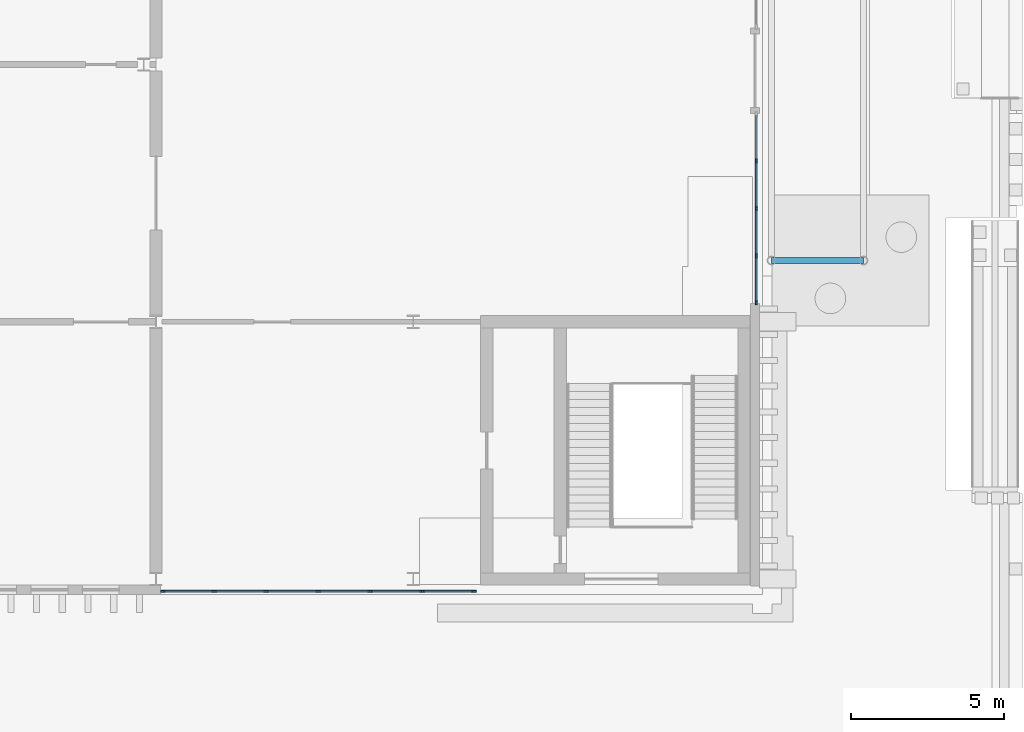
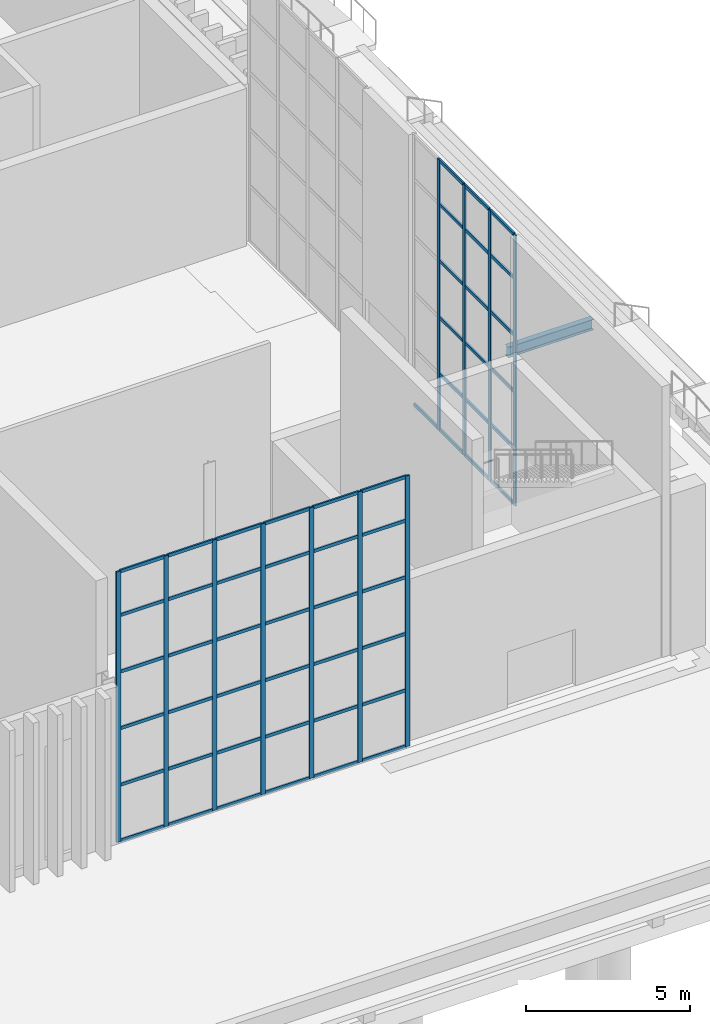
# One storey, part 39 of 108: 66 members, 1 beam, 2 elements without a shape of their own.
"""IFC4 building model written with IfcOpenShell, lengths in metres."""

from ifc_helpers import new_model, si_unit, direction, frame, origin, origin_2d, place, context, subcontext, project, spatial, rectangle, i_section, extrude, material, material_profile, profile_set, type_object, element, aggregate, save


model = new_model("IFC4")

# Units and contexts
model_context = context("Model", 3, precision=1e-05, world=origin(), true_north=direction((0.0, 1.0)))
body_context = subcontext(model_context, "Body", "Model", "MODEL_VIEW")
ifc_project = project(units=[si_unit("LENGTHUNIT", "METRE"), si_unit("AREAUNIT", "SQUARE_METRE"), si_unit("VOLUMEUNIT", "CUBIC_METRE"), si_unit("PLANEANGLEUNIT", "RADIAN"), si_unit("MASSUNIT", "GRAM", prefix="KILO")], contexts=[model_context])

# Site, building, storey
site_placement = place(None, origin())
site = spatial("IfcSite", under=ifc_project, at=site_placement, CompositionType="ELEMENT")
building_placement = place(site_placement, origin())
building = spatial("IfcBuilding", under=site, at=building_placement, Name="Cresset Court Congress Hotel", CompositionType="ELEMENT")
storey_placement = place(building_placement, origin())
storey = spatial("IfcBuildingStorey", under=building, at=storey_placement, Name="L00", CompositionType="ELEMENT", Elevation=0.0)

# Beam
ifc_material_1 = material(Name="Structural steel Q355B", Category="steel")
ifc_material_profile_1 = material_profile(ifc_material_1, i_section(OverallWidth=0.198974609375, OverallDepth=0.39599609375, WebThickness=0.007080078125, FlangeThickness=0.010986328125, FilletRadius=0.01611328125, at=origin_2d()), Name="HN396x199x7x11")
ifc_profile_set_1 = profile_set([ifc_material_profile_1], Name="Structural steel Q355B")
beam_type = type_object("IfcBeamType", Name="Canopy beam HN396x199x7x11", PredefinedType="BEAM", material=ifc_profile_set_1)
beam_placement = place(storey_placement, frame((177.300048828125, 10.39990234375, 4.701904296875), z_axis=(1.0, 0.0, 0.0), x_axis=(0.0, 1.0, 0.0)))
element("IfcBeam", 1, at=beam_placement, inside=storey, type_object=beam_type, Name="Canopy beam 1", PredefinedType="BEAM", context=body_context, shape_type="SweptSolid", body=[
    extrude(i_section(OverallWidth=0.198974609375, OverallDepth=0.39599609375, WebThickness=0.007080078125, FlangeThickness=0.010986328125, FilletRadius=0.01611328125, at=origin_2d()), origin(), (0.0, 0.0, 1.0), 3.0),
])

# Curtain wall, members
ifc_material_2 = material(Name="Aluminium and glass", Category="aluminium")
curtain_wall_type = type_object("IfcCurtainWallType", Name="Curtain wall 1680 module", PredefinedType="NOTDEFINED", material=ifc_material_2)
curtain_wall_1_placement = place(storey_placement, origin())
curtain_wall_1 = element("IfcCurtainWall", 2, at=curtain_wall_1_placement, inside=storey, type_object=curtain_wall_type, Name="Entrance glazing south", PredefinedType="NOTDEFINED")
ifc_material_3 = material(Name="Anodised aluminium", Category="aluminium")
ifc_material_profile_2 = material_profile(ifc_material_3, rectangle(XDim=0.06005859375, YDim=0.159912109375, at=origin_2d()), Name="AL60x160")
ifc_profile_set_2 = profile_set([ifc_material_profile_2], Name="Anodised aluminium")
member_type_1 = type_object("IfcMemberType", Name="Curtain wall mullion 60x160", PredefinedType="MULLION", material=ifc_profile_set_2)
member_1_placement = place(storey_placement, frame((176.800048828125, 9.030029296875, 0.0), z_axis=(0.0, 0.0, 1.0), x_axis=(-1.0, 0.0, 0.0)))
member_1 = element("IfcMember", 3, at=member_1_placement, type_object=member_type_1, Name="A-X1 mullion 1", PredefinedType="MULLION", context=body_context, shape_type="SweptSolid", body=[
    extrude(rectangle(XDim=0.06005859375, YDim=0.159912109375, at=origin_2d()), origin(), (0.0, 0.0, 1.0), 10.050048828125),
])
member_2_placement = place(storey_placement, frame((176.800048828125, 10.550048828125, 0.0), z_axis=(0.0, 0.0, 1.0), x_axis=(-1.0, 0.0, 0.0)))
member_2 = element("IfcMember", 4, at=member_2_placement, type_object=member_type_1, Name="A-X1 mullion 2", PredefinedType="MULLION", context=body_context, shape_type="SweptSolid", body=[
    extrude(rectangle(XDim=0.06005859375, YDim=0.159912109375, at=origin_2d()), origin(), (0.0, 0.0, 1.0), 10.050048828125),
])
member_3_placement = place(storey_placement, frame((176.800048828125, 12.10009765625, 0.0), z_axis=(0.0, 0.0, 1.0), x_axis=(-1.0, 0.0, 0.0)))
member_3 = element("IfcMember", 5, at=member_3_placement, type_object=member_type_1, Name="A-X1 mullion 3", PredefinedType="MULLION", context=body_context, shape_type="SweptSolid", body=[
    extrude(rectangle(XDim=0.06005859375, YDim=0.159912109375, at=origin_2d()), origin(), (0.0, 0.0, 1.0), 10.050048828125),
])
member_4_placement = place(storey_placement, frame((176.800048828125, 13.64990234375, 0.0), z_axis=(0.0, 0.0, 1.0), x_axis=(-1.0, 0.0, 0.0)))
member_4 = element("IfcMember", 6, at=member_4_placement, type_object=member_type_1, Name="A-X1 mullion 4", PredefinedType="MULLION", context=body_context, shape_type="SweptSolid", body=[
    extrude(rectangle(XDim=0.06005859375, YDim=0.159912109375, at=origin_2d()), origin(), (0.0, 0.0, 1.0), 10.050048828125),
])

curtain_wall_2_placement = place(storey_placement, origin())
curtain_wall_2 = element("IfcCurtainWall", 7, at=curtain_wall_2_placement, inside=storey, type_object=curtain_wall_type, Name="Breakfast room glazing", PredefinedType="NOTDEFINED")
member_5_placement = place(storey_placement, frame((157.429931640625, -0.39990234375, 0.0), z_axis=(0.0, 0.0, 1.0), x_axis=(0.0, 1.0, 0.0)))
member_5 = element("IfcMember", 8, at=member_5_placement, type_object=member_type_1, Name="A-X1 mullion 1", PredefinedType="MULLION", context=body_context, shape_type="SweptSolid", body=[
    extrude(rectangle(XDim=0.06005859375, YDim=0.159912109375, at=origin_2d()), origin(), (0.0, 0.0, 1.0), 10.050048828125),
])
member_6_placement = place(storey_placement, frame((159.10009765625, -0.39990234375, 0.0), z_axis=(0.0, 0.0, 1.0), x_axis=(0.0, 1.0, 0.0)))
member_6 = element("IfcMember", 9, at=member_6_placement, type_object=member_type_1, Name="A-X1 mullion 2", PredefinedType="MULLION", context=body_context, shape_type="SweptSolid", body=[
    extrude(rectangle(XDim=0.06005859375, YDim=0.159912109375, at=origin_2d()), origin(), (0.0, 0.0, 1.0), 10.050048828125),
])
member_7_placement = place(storey_placement, frame((160.800048828125, -0.39990234375, 0.0), z_axis=(0.0, 0.0, 1.0), x_axis=(0.0, 1.0, 0.0)))
member_7 = element("IfcMember", 10, at=member_7_placement, type_object=member_type_1, Name="A-X1 mullion 3", PredefinedType="MULLION", context=body_context, shape_type="SweptSolid", body=[
    extrude(rectangle(XDim=0.06005859375, YDim=0.159912109375, at=origin_2d()), origin(), (0.0, 0.0, 1.0), 10.050048828125),
])
member_8_placement = place(storey_placement, frame((162.5, -0.39990234375, 0.0), z_axis=(0.0, 0.0, 1.0), x_axis=(0.0, 1.0, 0.0)))
member_8 = element("IfcMember", 11, at=member_8_placement, type_object=member_type_1, Name="A-X1 mullion 4", PredefinedType="MULLION", context=body_context, shape_type="SweptSolid", body=[
    extrude(rectangle(XDim=0.06005859375, YDim=0.159912109375, at=origin_2d()), origin(), (0.0, 0.0, 1.0), 10.050048828125),
])
member_9_placement = place(storey_placement, frame((164.199951171875, -0.39990234375, 0.0), z_axis=(0.0, 0.0, 1.0), x_axis=(0.0, 1.0, 0.0)))
member_9 = element("IfcMember", 12, at=member_9_placement, type_object=member_type_1, Name="A-X1 mullion 5", PredefinedType="MULLION", context=body_context, shape_type="SweptSolid", body=[
    extrude(rectangle(XDim=0.06005859375, YDim=0.159912109375, at=origin_2d()), origin(), (0.0, 0.0, 1.0), 10.050048828125),
])
member_10_placement = place(storey_placement, frame((165.89990234375, -0.39990234375, 0.0), z_axis=(0.0, 0.0, 1.0), x_axis=(0.0, 1.0, 0.0)))
member_10 = element("IfcMember", 13, at=member_10_placement, type_object=member_type_1, Name="A-X1 mullion 6", PredefinedType="MULLION", context=body_context, shape_type="SweptSolid", body=[
    extrude(rectangle(XDim=0.06005859375, YDim=0.159912109375, at=origin_2d()), origin(), (0.0, 0.0, 1.0), 10.050048828125),
])
member_11_placement = place(storey_placement, frame((167.570068359375, -0.39990234375, 0.0), z_axis=(0.0, 0.0, 1.0), x_axis=(0.0, 1.0, 0.0)))
member_11 = element("IfcMember", 14, at=member_11_placement, type_object=member_type_1, Name="A-X1 mullion 7", PredefinedType="MULLION", context=body_context, shape_type="SweptSolid", body=[
    extrude(rectangle(XDim=0.06005859375, YDim=0.159912109375, at=origin_2d()), origin(), (0.0, 0.0, 1.0), 10.050048828125),
])

# Member
ifc_material_4 = material(Name="Anodised aluminium", Category="aluminium")
ifc_material_profile_3 = material_profile(ifc_material_4, rectangle(XDim=0.06005859375, YDim=0.1201171875, at=origin_2d()), Name="AL60x120")
ifc_profile_set_3 = profile_set([ifc_material_profile_3], Name="Anodised aluminium")
member_type_2 = type_object("IfcMemberType", Name="Curtain wall transom 60x120", PredefinedType="USERDEFINED", material=ifc_profile_set_3)
member_12_placement = place(storey_placement, frame((176.800048828125, 9.06005859375, 0.030029296875), z_axis=(0.0, 1.0, 0.0), x_axis=(-1.0, 0.0, 0.0)))
member_12 = element("IfcMember", 15, at=member_12_placement, type_object=member_type_2, Name="A-X1 transom 1.1", ObjectType="TRANSOM", PredefinedType="USERDEFINED", context=body_context, shape_type="SweptSolid", body=[
    extrude(rectangle(XDim=0.06005859375, YDim=0.1201171875, at=origin_2d()), origin(), (0.0, 0.0, 1.0), 1.4599609375),
])

member_13_placement = place(storey_placement, frame((176.800048828125, 9.06005859375, 2.10009765625), z_axis=(0.0, 1.0, 0.0), x_axis=(-1.0, 0.0, 0.0)))
member_13 = element("IfcMember", 16, at=member_13_placement, type_object=member_type_2, Name="A-X1 transom 1.2", ObjectType="TRANSOM", PredefinedType="USERDEFINED", context=body_context, shape_type="SweptSolid", body=[
    extrude(rectangle(XDim=0.06005859375, YDim=0.1201171875, at=origin_2d()), origin(), (0.0, 0.0, 1.0), 1.4599609375),
])

member_14_placement = place(storey_placement, frame((176.800048828125, 9.06005859375, 4.199951171875), z_axis=(0.0, 1.0, 0.0), x_axis=(-1.0, 0.0, 0.0)))
member_14 = element("IfcMember", 17, at=member_14_placement, type_object=member_type_2, Name="A-X1 transom 1.3", ObjectType="TRANSOM", PredefinedType="USERDEFINED", context=body_context, shape_type="SweptSolid", body=[
    extrude(rectangle(XDim=0.06005859375, YDim=0.1201171875, at=origin_2d()), origin(), (0.0, 0.0, 1.0), 1.4599609375),
])

member_15_placement = place(storey_placement, frame((176.800048828125, 9.06005859375, 6.300048828125), z_axis=(0.0, 1.0, 0.0), x_axis=(-1.0, 0.0, 0.0)))
member_15 = element("IfcMember", 18, at=member_15_placement, type_object=member_type_2, Name="A-X1 transom 1.4", ObjectType="TRANSOM", PredefinedType="USERDEFINED", context=body_context, shape_type="SweptSolid", body=[
    extrude(rectangle(XDim=0.06005859375, YDim=0.1201171875, at=origin_2d()), origin(), (0.0, 0.0, 1.0), 1.4599609375),
])

member_16_placement = place(storey_placement, frame((176.800048828125, 9.06005859375, 8.39990234375), z_axis=(0.0, 1.0, 0.0), x_axis=(-1.0, 0.0, 0.0)))
member_16 = element("IfcMember", 19, at=member_16_placement, type_object=member_type_2, Name="A-X1 transom 1.5", ObjectType="TRANSOM", PredefinedType="USERDEFINED", context=body_context, shape_type="SweptSolid", body=[
    extrude(rectangle(XDim=0.06005859375, YDim=0.1201171875, at=origin_2d()), origin(), (0.0, 0.0, 1.0), 1.4599609375),
])

member_17_placement = place(storey_placement, frame((176.800048828125, 9.06005859375, 10.02001953125), z_axis=(0.0, 1.0, 0.0), x_axis=(-1.0, 0.0, 0.0)))
member_17 = element("IfcMember", 20, at=member_17_placement, type_object=member_type_2, Name="A-X1 transom 1.6", ObjectType="TRANSOM", PredefinedType="USERDEFINED", context=body_context, shape_type="SweptSolid", body=[
    extrude(rectangle(XDim=0.06005859375, YDim=0.1201171875, at=origin_2d()), origin(), (0.0, 0.0, 1.0), 1.4599609375),
])

member_18_placement = place(storey_placement, frame((176.800048828125, 10.580078125, 0.030029296875), z_axis=(0.0, 1.0, 0.0), x_axis=(-1.0, 0.0, 0.0)))
member_18 = element("IfcMember", 21, at=member_18_placement, type_object=member_type_2, Name="A-X1 transom 2.1", ObjectType="TRANSOM", PredefinedType="USERDEFINED", context=body_context, shape_type="SweptSolid", body=[
    extrude(rectangle(XDim=0.06005859375, YDim=0.1201171875, at=origin_2d()), origin(), (0.0, 0.0, 1.0), 1.489990234375),
])

member_19_placement = place(storey_placement, frame((176.800048828125, 10.580078125, 2.10009765625), z_axis=(0.0, 1.0, 0.0), x_axis=(-1.0, 0.0, 0.0)))
member_19 = element("IfcMember", 22, at=member_19_placement, type_object=member_type_2, Name="A-X1 transom 2.2", ObjectType="TRANSOM", PredefinedType="USERDEFINED", context=body_context, shape_type="SweptSolid", body=[
    extrude(rectangle(XDim=0.06005859375, YDim=0.1201171875, at=origin_2d()), origin(), (0.0, 0.0, 1.0), 1.489990234375),
])

member_20_placement = place(storey_placement, frame((176.800048828125, 10.580078125, 4.199951171875), z_axis=(0.0, 1.0, 0.0), x_axis=(-1.0, 0.0, 0.0)))
member_20 = element("IfcMember", 23, at=member_20_placement, type_object=member_type_2, Name="A-X1 transom 2.3", ObjectType="TRANSOM", PredefinedType="USERDEFINED", context=body_context, shape_type="SweptSolid", body=[
    extrude(rectangle(XDim=0.06005859375, YDim=0.1201171875, at=origin_2d()), origin(), (0.0, 0.0, 1.0), 1.489990234375),
])

member_21_placement = place(storey_placement, frame((176.800048828125, 10.580078125, 6.300048828125), z_axis=(0.0, 1.0, 0.0), x_axis=(-1.0, 0.0, 0.0)))
member_21 = element("IfcMember", 24, at=member_21_placement, type_object=member_type_2, Name="A-X1 transom 2.4", ObjectType="TRANSOM", PredefinedType="USERDEFINED", context=body_context, shape_type="SweptSolid", body=[
    extrude(rectangle(XDim=0.06005859375, YDim=0.1201171875, at=origin_2d()), origin(), (0.0, 0.0, 1.0), 1.489990234375),
])

member_22_placement = place(storey_placement, frame((176.800048828125, 10.580078125, 8.39990234375), z_axis=(0.0, 1.0, 0.0), x_axis=(-1.0, 0.0, 0.0)))
member_22 = element("IfcMember", 25, at=member_22_placement, type_object=member_type_2, Name="A-X1 transom 2.5", ObjectType="TRANSOM", PredefinedType="USERDEFINED", context=body_context, shape_type="SweptSolid", body=[
    extrude(rectangle(XDim=0.06005859375, YDim=0.1201171875, at=origin_2d()), origin(), (0.0, 0.0, 1.0), 1.489990234375),
])

member_23_placement = place(storey_placement, frame((176.800048828125, 10.580078125, 10.02001953125), z_axis=(0.0, 1.0, 0.0), x_axis=(-1.0, 0.0, 0.0)))
member_23 = element("IfcMember", 26, at=member_23_placement, type_object=member_type_2, Name="A-X1 transom 2.6", ObjectType="TRANSOM", PredefinedType="USERDEFINED", context=body_context, shape_type="SweptSolid", body=[
    extrude(rectangle(XDim=0.06005859375, YDim=0.1201171875, at=origin_2d()), origin(), (0.0, 0.0, 1.0), 1.489990234375),
])

member_24_placement = place(storey_placement, frame((176.800048828125, 12.1298828125, 0.030029296875), z_axis=(0.0, 1.0, 0.0), x_axis=(-1.0, 0.0, 0.0)))
member_24 = element("IfcMember", 27, at=member_24_placement, type_object=member_type_2, Name="A-X1 transom 3.1", ObjectType="TRANSOM", PredefinedType="USERDEFINED", context=body_context, shape_type="SweptSolid", body=[
    extrude(rectangle(XDim=0.06005859375, YDim=0.1201171875, at=origin_2d()), origin(), (0.0, 0.0, 1.0), 1.490234375),
])

member_25_placement = place(storey_placement, frame((176.800048828125, 12.1298828125, 2.10009765625), z_axis=(0.0, 1.0, 0.0), x_axis=(-1.0, 0.0, 0.0)))
member_25 = element("IfcMember", 28, at=member_25_placement, type_object=member_type_2, Name="A-X1 transom 3.2", ObjectType="TRANSOM", PredefinedType="USERDEFINED", context=body_context, shape_type="SweptSolid", body=[
    extrude(rectangle(XDim=0.06005859375, YDim=0.1201171875, at=origin_2d()), origin(), (0.0, 0.0, 1.0), 1.490234375),
])

member_26_placement = place(storey_placement, frame((176.800048828125, 12.1298828125, 4.199951171875), z_axis=(0.0, 1.0, 0.0), x_axis=(-1.0, 0.0, 0.0)))
member_26 = element("IfcMember", 29, at=member_26_placement, type_object=member_type_2, Name="A-X1 transom 3.3", ObjectType="TRANSOM", PredefinedType="USERDEFINED", context=body_context, shape_type="SweptSolid", body=[
    extrude(rectangle(XDim=0.06005859375, YDim=0.1201171875, at=origin_2d()), origin(), (0.0, 0.0, 1.0), 1.490234375),
])

member_27_placement = place(storey_placement, frame((176.800048828125, 12.1298828125, 6.300048828125), z_axis=(0.0, 1.0, 0.0), x_axis=(-1.0, 0.0, 0.0)))
member_27 = element("IfcMember", 30, at=member_27_placement, type_object=member_type_2, Name="A-X1 transom 3.4", ObjectType="TRANSOM", PredefinedType="USERDEFINED", context=body_context, shape_type="SweptSolid", body=[
    extrude(rectangle(XDim=0.06005859375, YDim=0.1201171875, at=origin_2d()), origin(), (0.0, 0.0, 1.0), 1.490234375),
])

member_28_placement = place(storey_placement, frame((176.800048828125, 12.1298828125, 8.39990234375), z_axis=(0.0, 1.0, 0.0), x_axis=(-1.0, 0.0, 0.0)))
member_28 = element("IfcMember", 31, at=member_28_placement, type_object=member_type_2, Name="A-X1 transom 3.5", ObjectType="TRANSOM", PredefinedType="USERDEFINED", context=body_context, shape_type="SweptSolid", body=[
    extrude(rectangle(XDim=0.06005859375, YDim=0.1201171875, at=origin_2d()), origin(), (0.0, 0.0, 1.0), 1.490234375),
])

member_29_placement = place(storey_placement, frame((176.800048828125, 12.1298828125, 10.02001953125), z_axis=(0.0, 1.0, 0.0), x_axis=(-1.0, 0.0, 0.0)))
member_29 = element("IfcMember", 32, at=member_29_placement, type_object=member_type_2, Name="A-X1 transom 3.6", ObjectType="TRANSOM", PredefinedType="USERDEFINED", context=body_context, shape_type="SweptSolid", body=[
    extrude(rectangle(XDim=0.06005859375, YDim=0.1201171875, at=origin_2d()), origin(), (0.0, 0.0, 1.0), 1.490234375),
])

member_30_placement = place(storey_placement, frame((176.800048828125, 13.679931640625, 0.030029296875), z_axis=(0.0, 1.0, 0.0), x_axis=(-1.0, 0.0, 0.0)))
member_30 = element("IfcMember", 33, at=member_30_placement, type_object=member_type_2, Name="A-X1 transom 4.1", ObjectType="TRANSOM", PredefinedType="USERDEFINED", context=body_context, shape_type="SweptSolid", body=[
    extrude(rectangle(XDim=0.06005859375, YDim=0.1201171875, at=origin_2d()), origin(), (0.0, 0.0, 1.0), 1.4599609375),
])

aggregate(curtain_wall_1, [member_1, member_2, member_3, member_4, member_12, member_13, member_14, member_15, member_16, member_17, member_18, member_19, member_20, member_21, member_22, member_23, member_24, member_25, member_26, member_27, member_28, member_29, member_30])

member_31_placement = place(storey_placement, frame((157.4599609375, -0.39990234375, 0.030029296875), z_axis=(1.0, 0.0, 0.0), x_axis=(0.0, 1.0, 0.0)))
member_31 = element("IfcMember", 34, at=member_31_placement, type_object=member_type_2, Name="A-X1 transom 1.1", ObjectType="TRANSOM", PredefinedType="USERDEFINED", context=body_context, shape_type="SweptSolid", body=[
    extrude(rectangle(XDim=0.06005859375, YDim=0.1201171875, at=origin_2d()), origin(), (0.0, 0.0, 1.0), 1.610107421875),
])

member_32_placement = place(storey_placement, frame((157.4599609375, -0.39990234375, 2.10009765625), z_axis=(1.0, 0.0, 0.0), x_axis=(0.0, 1.0, 0.0)))
member_32 = element("IfcMember", 35, at=member_32_placement, type_object=member_type_2, Name="A-X1 transom 1.2", ObjectType="TRANSOM", PredefinedType="USERDEFINED", context=body_context, shape_type="SweptSolid", body=[
    extrude(rectangle(XDim=0.06005859375, YDim=0.1201171875, at=origin_2d()), origin(), (0.0, 0.0, 1.0), 1.610107421875),
])

member_33_placement = place(storey_placement, frame((157.4599609375, -0.39990234375, 4.199951171875), z_axis=(1.0, 0.0, 0.0), x_axis=(0.0, 1.0, 0.0)))
member_33 = element("IfcMember", 36, at=member_33_placement, type_object=member_type_2, Name="A-X1 transom 1.3", ObjectType="TRANSOM", PredefinedType="USERDEFINED", context=body_context, shape_type="SweptSolid", body=[
    extrude(rectangle(XDim=0.06005859375, YDim=0.1201171875, at=origin_2d()), origin(), (0.0, 0.0, 1.0), 1.610107421875),
])

member_34_placement = place(storey_placement, frame((157.4599609375, -0.39990234375, 6.300048828125), z_axis=(1.0, 0.0, 0.0), x_axis=(0.0, 1.0, 0.0)))
member_34 = element("IfcMember", 37, at=member_34_placement, type_object=member_type_2, Name="A-X1 transom 1.4", ObjectType="TRANSOM", PredefinedType="USERDEFINED", context=body_context, shape_type="SweptSolid", body=[
    extrude(rectangle(XDim=0.06005859375, YDim=0.1201171875, at=origin_2d()), origin(), (0.0, 0.0, 1.0), 1.610107421875),
])

member_35_placement = place(storey_placement, frame((157.4599609375, -0.39990234375, 8.39990234375), z_axis=(1.0, 0.0, 0.0), x_axis=(0.0, 1.0, 0.0)))
member_35 = element("IfcMember", 38, at=member_35_placement, type_object=member_type_2, Name="A-X1 transom 1.5", ObjectType="TRANSOM", PredefinedType="USERDEFINED", context=body_context, shape_type="SweptSolid", body=[
    extrude(rectangle(XDim=0.06005859375, YDim=0.1201171875, at=origin_2d()), origin(), (0.0, 0.0, 1.0), 1.610107421875),
])

member_36_placement = place(storey_placement, frame((157.4599609375, -0.39990234375, 10.02001953125), z_axis=(1.0, 0.0, 0.0), x_axis=(0.0, 1.0, 0.0)))
member_36 = element("IfcMember", 39, at=member_36_placement, type_object=member_type_2, Name="A-X1 transom 1.6", ObjectType="TRANSOM", PredefinedType="USERDEFINED", context=body_context, shape_type="SweptSolid", body=[
    extrude(rectangle(XDim=0.06005859375, YDim=0.1201171875, at=origin_2d()), origin(), (0.0, 0.0, 1.0), 1.610107421875),
])

member_37_placement = place(storey_placement, frame((159.1298828125, -0.39990234375, 0.030029296875), z_axis=(1.0, 0.0, 0.0), x_axis=(0.0, 1.0, 0.0)))
member_37 = element("IfcMember", 40, at=member_37_placement, type_object=member_type_2, Name="A-X1 transom 2.1", ObjectType="TRANSOM", PredefinedType="USERDEFINED", context=body_context, shape_type="SweptSolid", body=[
    extrude(rectangle(XDim=0.06005859375, YDim=0.1201171875, at=origin_2d()), origin(), (0.0, 0.0, 1.0), 1.64013671875),
])

member_38_placement = place(storey_placement, frame((159.1298828125, -0.39990234375, 2.10009765625), z_axis=(1.0, 0.0, 0.0), x_axis=(0.0, 1.0, 0.0)))
member_38 = element("IfcMember", 41, at=member_38_placement, type_object=member_type_2, Name="A-X1 transom 2.2", ObjectType="TRANSOM", PredefinedType="USERDEFINED", context=body_context, shape_type="SweptSolid", body=[
    extrude(rectangle(XDim=0.06005859375, YDim=0.1201171875, at=origin_2d()), origin(), (0.0, 0.0, 1.0), 1.64013671875),
])

member_39_placement = place(storey_placement, frame((159.1298828125, -0.39990234375, 4.199951171875), z_axis=(1.0, 0.0, 0.0), x_axis=(0.0, 1.0, 0.0)))
member_39 = element("IfcMember", 42, at=member_39_placement, type_object=member_type_2, Name="A-X1 transom 2.3", ObjectType="TRANSOM", PredefinedType="USERDEFINED", context=body_context, shape_type="SweptSolid", body=[
    extrude(rectangle(XDim=0.06005859375, YDim=0.1201171875, at=origin_2d()), origin(), (0.0, 0.0, 1.0), 1.64013671875),
])

member_40_placement = place(storey_placement, frame((159.1298828125, -0.39990234375, 6.300048828125), z_axis=(1.0, 0.0, 0.0), x_axis=(0.0, 1.0, 0.0)))
member_40 = element("IfcMember", 43, at=member_40_placement, type_object=member_type_2, Name="A-X1 transom 2.4", ObjectType="TRANSOM", PredefinedType="USERDEFINED", context=body_context, shape_type="SweptSolid", body=[
    extrude(rectangle(XDim=0.06005859375, YDim=0.1201171875, at=origin_2d()), origin(), (0.0, 0.0, 1.0), 1.64013671875),
])

member_41_placement = place(storey_placement, frame((159.1298828125, -0.39990234375, 8.39990234375), z_axis=(1.0, 0.0, 0.0), x_axis=(0.0, 1.0, 0.0)))
member_41 = element("IfcMember", 44, at=member_41_placement, type_object=member_type_2, Name="A-X1 transom 2.5", ObjectType="TRANSOM", PredefinedType="USERDEFINED", context=body_context, shape_type="SweptSolid", body=[
    extrude(rectangle(XDim=0.06005859375, YDim=0.1201171875, at=origin_2d()), origin(), (0.0, 0.0, 1.0), 1.64013671875),
])

member_42_placement = place(storey_placement, frame((159.1298828125, -0.39990234375, 10.02001953125), z_axis=(1.0, 0.0, 0.0), x_axis=(0.0, 1.0, 0.0)))
member_42 = element("IfcMember", 45, at=member_42_placement, type_object=member_type_2, Name="A-X1 transom 2.6", ObjectType="TRANSOM", PredefinedType="USERDEFINED", context=body_context, shape_type="SweptSolid", body=[
    extrude(rectangle(XDim=0.06005859375, YDim=0.1201171875, at=origin_2d()), origin(), (0.0, 0.0, 1.0), 1.64013671875),
])

member_43_placement = place(storey_placement, frame((160.830078125, -0.39990234375, 0.030029296875), z_axis=(1.0, 0.0, 0.0), x_axis=(0.0, 1.0, 0.0)))
member_43 = element("IfcMember", 46, at=member_43_placement, type_object=member_type_2, Name="A-X1 transom 3.1", ObjectType="TRANSOM", PredefinedType="USERDEFINED", context=body_context, shape_type="SweptSolid", body=[
    extrude(rectangle(XDim=0.06005859375, YDim=0.1201171875, at=origin_2d()), origin(), (0.0, 0.0, 1.0), 1.639892578125),
])

member_44_placement = place(storey_placement, frame((160.830078125, -0.39990234375, 2.10009765625), z_axis=(1.0, 0.0, 0.0), x_axis=(0.0, 1.0, 0.0)))
member_44 = element("IfcMember", 47, at=member_44_placement, type_object=member_type_2, Name="A-X1 transom 3.2", ObjectType="TRANSOM", PredefinedType="USERDEFINED", context=body_context, shape_type="SweptSolid", body=[
    extrude(rectangle(XDim=0.06005859375, YDim=0.1201171875, at=origin_2d()), origin(), (0.0, 0.0, 1.0), 1.639892578125),
])

member_45_placement = place(storey_placement, frame((160.830078125, -0.39990234375, 4.199951171875), z_axis=(1.0, 0.0, 0.0), x_axis=(0.0, 1.0, 0.0)))
member_45 = element("IfcMember", 48, at=member_45_placement, type_object=member_type_2, Name="A-X1 transom 3.3", ObjectType="TRANSOM", PredefinedType="USERDEFINED", context=body_context, shape_type="SweptSolid", body=[
    extrude(rectangle(XDim=0.06005859375, YDim=0.1201171875, at=origin_2d()), origin(), (0.0, 0.0, 1.0), 1.639892578125),
])

member_46_placement = place(storey_placement, frame((160.830078125, -0.39990234375, 6.300048828125), z_axis=(1.0, 0.0, 0.0), x_axis=(0.0, 1.0, 0.0)))
member_46 = element("IfcMember", 49, at=member_46_placement, type_object=member_type_2, Name="A-X1 transom 3.4", ObjectType="TRANSOM", PredefinedType="USERDEFINED", context=body_context, shape_type="SweptSolid", body=[
    extrude(rectangle(XDim=0.06005859375, YDim=0.1201171875, at=origin_2d()), origin(), (0.0, 0.0, 1.0), 1.639892578125),
])

member_47_placement = place(storey_placement, frame((160.830078125, -0.39990234375, 8.39990234375), z_axis=(1.0, 0.0, 0.0), x_axis=(0.0, 1.0, 0.0)))
member_47 = element("IfcMember", 50, at=member_47_placement, type_object=member_type_2, Name="A-X1 transom 3.5", ObjectType="TRANSOM", PredefinedType="USERDEFINED", context=body_context, shape_type="SweptSolid", body=[
    extrude(rectangle(XDim=0.06005859375, YDim=0.1201171875, at=origin_2d()), origin(), (0.0, 0.0, 1.0), 1.639892578125),
])

member_48_placement = place(storey_placement, frame((160.830078125, -0.39990234375, 10.02001953125), z_axis=(1.0, 0.0, 0.0), x_axis=(0.0, 1.0, 0.0)))
member_48 = element("IfcMember", 51, at=member_48_placement, type_object=member_type_2, Name="A-X1 transom 3.6", ObjectType="TRANSOM", PredefinedType="USERDEFINED", context=body_context, shape_type="SweptSolid", body=[
    extrude(rectangle(XDim=0.06005859375, YDim=0.1201171875, at=origin_2d()), origin(), (0.0, 0.0, 1.0), 1.639892578125),
])

member_49_placement = place(storey_placement, frame((162.530029296875, -0.39990234375, 0.030029296875), z_axis=(1.0, 0.0, 0.0), x_axis=(0.0, 1.0, 0.0)))
member_49 = element("IfcMember", 52, at=member_49_placement, type_object=member_type_2, Name="A-X1 transom 4.1", ObjectType="TRANSOM", PredefinedType="USERDEFINED", context=body_context, shape_type="SweptSolid", body=[
    extrude(rectangle(XDim=0.06005859375, YDim=0.1201171875, at=origin_2d()), origin(), (0.0, 0.0, 1.0), 1.639892578125),
])

member_50_placement = place(storey_placement, frame((162.530029296875, -0.39990234375, 2.10009765625), z_axis=(1.0, 0.0, 0.0), x_axis=(0.0, 1.0, 0.0)))
member_50 = element("IfcMember", 53, at=member_50_placement, type_object=member_type_2, Name="A-X1 transom 4.2", ObjectType="TRANSOM", PredefinedType="USERDEFINED", context=body_context, shape_type="SweptSolid", body=[
    extrude(rectangle(XDim=0.06005859375, YDim=0.1201171875, at=origin_2d()), origin(), (0.0, 0.0, 1.0), 1.639892578125),
])

member_51_placement = place(storey_placement, frame((162.530029296875, -0.39990234375, 4.199951171875), z_axis=(1.0, 0.0, 0.0), x_axis=(0.0, 1.0, 0.0)))
member_51 = element("IfcMember", 54, at=member_51_placement, type_object=member_type_2, Name="A-X1 transom 4.3", ObjectType="TRANSOM", PredefinedType="USERDEFINED", context=body_context, shape_type="SweptSolid", body=[
    extrude(rectangle(XDim=0.06005859375, YDim=0.1201171875, at=origin_2d()), origin(), (0.0, 0.0, 1.0), 1.639892578125),
])

member_52_placement = place(storey_placement, frame((162.530029296875, -0.39990234375, 6.300048828125), z_axis=(1.0, 0.0, 0.0), x_axis=(0.0, 1.0, 0.0)))
member_52 = element("IfcMember", 55, at=member_52_placement, type_object=member_type_2, Name="A-X1 transom 4.4", ObjectType="TRANSOM", PredefinedType="USERDEFINED", context=body_context, shape_type="SweptSolid", body=[
    extrude(rectangle(XDim=0.06005859375, YDim=0.1201171875, at=origin_2d()), origin(), (0.0, 0.0, 1.0), 1.639892578125),
])

member_53_placement = place(storey_placement, frame((162.530029296875, -0.39990234375, 8.39990234375), z_axis=(1.0, 0.0, 0.0), x_axis=(0.0, 1.0, 0.0)))
member_53 = element("IfcMember", 56, at=member_53_placement, type_object=member_type_2, Name="A-X1 transom 4.5", ObjectType="TRANSOM", PredefinedType="USERDEFINED", context=body_context, shape_type="SweptSolid", body=[
    extrude(rectangle(XDim=0.06005859375, YDim=0.1201171875, at=origin_2d()), origin(), (0.0, 0.0, 1.0), 1.639892578125),
])

member_54_placement = place(storey_placement, frame((162.530029296875, -0.39990234375, 10.02001953125), z_axis=(1.0, 0.0, 0.0), x_axis=(0.0, 1.0, 0.0)))
member_54 = element("IfcMember", 57, at=member_54_placement, type_object=member_type_2, Name="A-X1 transom 4.6", ObjectType="TRANSOM", PredefinedType="USERDEFINED", context=body_context, shape_type="SweptSolid", body=[
    extrude(rectangle(XDim=0.06005859375, YDim=0.1201171875, at=origin_2d()), origin(), (0.0, 0.0, 1.0), 1.639892578125),
])

member_55_placement = place(storey_placement, frame((164.22998046875, -0.39990234375, 0.030029296875), z_axis=(1.0, 0.0, 0.0), x_axis=(0.0, 1.0, 0.0)))
member_55 = element("IfcMember", 58, at=member_55_placement, type_object=member_type_2, Name="A-X1 transom 5.1", ObjectType="TRANSOM", PredefinedType="USERDEFINED", context=body_context, shape_type="SweptSolid", body=[
    extrude(rectangle(XDim=0.06005859375, YDim=0.1201171875, at=origin_2d()), origin(), (0.0, 0.0, 1.0), 1.64013671875),
])

member_56_placement = place(storey_placement, frame((164.22998046875, -0.39990234375, 2.10009765625), z_axis=(1.0, 0.0, 0.0), x_axis=(0.0, 1.0, 0.0)))
member_56 = element("IfcMember", 59, at=member_56_placement, type_object=member_type_2, Name="A-X1 transom 5.2", ObjectType="TRANSOM", PredefinedType="USERDEFINED", context=body_context, shape_type="SweptSolid", body=[
    extrude(rectangle(XDim=0.06005859375, YDim=0.1201171875, at=origin_2d()), origin(), (0.0, 0.0, 1.0), 1.64013671875),
])

member_57_placement = place(storey_placement, frame((164.22998046875, -0.39990234375, 4.199951171875), z_axis=(1.0, 0.0, 0.0), x_axis=(0.0, 1.0, 0.0)))
member_57 = element("IfcMember", 60, at=member_57_placement, type_object=member_type_2, Name="A-X1 transom 5.3", ObjectType="TRANSOM", PredefinedType="USERDEFINED", context=body_context, shape_type="SweptSolid", body=[
    extrude(rectangle(XDim=0.06005859375, YDim=0.1201171875, at=origin_2d()), origin(), (0.0, 0.0, 1.0), 1.64013671875),
])

member_58_placement = place(storey_placement, frame((164.22998046875, -0.39990234375, 6.300048828125), z_axis=(1.0, 0.0, 0.0), x_axis=(0.0, 1.0, 0.0)))
member_58 = element("IfcMember", 61, at=member_58_placement, type_object=member_type_2, Name="A-X1 transom 5.4", ObjectType="TRANSOM", PredefinedType="USERDEFINED", context=body_context, shape_type="SweptSolid", body=[
    extrude(rectangle(XDim=0.06005859375, YDim=0.1201171875, at=origin_2d()), origin(), (0.0, 0.0, 1.0), 1.64013671875),
])

member_59_placement = place(storey_placement, frame((164.22998046875, -0.39990234375, 8.39990234375), z_axis=(1.0, 0.0, 0.0), x_axis=(0.0, 1.0, 0.0)))
member_59 = element("IfcMember", 62, at=member_59_placement, type_object=member_type_2, Name="A-X1 transom 5.5", ObjectType="TRANSOM", PredefinedType="USERDEFINED", context=body_context, shape_type="SweptSolid", body=[
    extrude(rectangle(XDim=0.06005859375, YDim=0.1201171875, at=origin_2d()), origin(), (0.0, 0.0, 1.0), 1.64013671875),
])

member_60_placement = place(storey_placement, frame((164.22998046875, -0.39990234375, 10.02001953125), z_axis=(1.0, 0.0, 0.0), x_axis=(0.0, 1.0, 0.0)))
member_60 = element("IfcMember", 63, at=member_60_placement, type_object=member_type_2, Name="A-X1 transom 5.6", ObjectType="TRANSOM", PredefinedType="USERDEFINED", context=body_context, shape_type="SweptSolid", body=[
    extrude(rectangle(XDim=0.06005859375, YDim=0.1201171875, at=origin_2d()), origin(), (0.0, 0.0, 1.0), 1.64013671875),
])

member_61_placement = place(storey_placement, frame((165.929931640625, -0.39990234375, 0.030029296875), z_axis=(1.0, 0.0, 0.0), x_axis=(0.0, 1.0, 0.0)))
member_61 = element("IfcMember", 64, at=member_61_placement, type_object=member_type_2, Name="A-X1 transom 6.1", ObjectType="TRANSOM", PredefinedType="USERDEFINED", context=body_context, shape_type="SweptSolid", body=[
    extrude(rectangle(XDim=0.06005859375, YDim=0.1201171875, at=origin_2d()), origin(), (0.0, 0.0, 1.0), 1.610107421875),
])

member_62_placement = place(storey_placement, frame((165.929931640625, -0.39990234375, 2.10009765625), z_axis=(1.0, 0.0, 0.0), x_axis=(0.0, 1.0, 0.0)))
member_62 = element("IfcMember", 65, at=member_62_placement, type_object=member_type_2, Name="A-X1 transom 6.2", ObjectType="TRANSOM", PredefinedType="USERDEFINED", context=body_context, shape_type="SweptSolid", body=[
    extrude(rectangle(XDim=0.06005859375, YDim=0.1201171875, at=origin_2d()), origin(), (0.0, 0.0, 1.0), 1.610107421875),
])

member_63_placement = place(storey_placement, frame((165.929931640625, -0.39990234375, 4.199951171875), z_axis=(1.0, 0.0, 0.0), x_axis=(0.0, 1.0, 0.0)))
member_63 = element("IfcMember", 66, at=member_63_placement, type_object=member_type_2, Name="A-X1 transom 6.3", ObjectType="TRANSOM", PredefinedType="USERDEFINED", context=body_context, shape_type="SweptSolid", body=[
    extrude(rectangle(XDim=0.06005859375, YDim=0.1201171875, at=origin_2d()), origin(), (0.0, 0.0, 1.0), 1.610107421875),
])

member_64_placement = place(storey_placement, frame((165.929931640625, -0.39990234375, 6.300048828125), z_axis=(1.0, 0.0, 0.0), x_axis=(0.0, 1.0, 0.0)))
member_64 = element("IfcMember", 67, at=member_64_placement, type_object=member_type_2, Name="A-X1 transom 6.4", ObjectType="TRANSOM", PredefinedType="USERDEFINED", context=body_context, shape_type="SweptSolid", body=[
    extrude(rectangle(XDim=0.06005859375, YDim=0.1201171875, at=origin_2d()), origin(), (0.0, 0.0, 1.0), 1.610107421875),
])

member_65_placement = place(storey_placement, frame((165.929931640625, -0.39990234375, 8.39990234375), z_axis=(1.0, 0.0, 0.0), x_axis=(0.0, 1.0, 0.0)))
member_65 = element("IfcMember", 68, at=member_65_placement, type_object=member_type_2, Name="A-X1 transom 6.5", ObjectType="TRANSOM", PredefinedType="USERDEFINED", context=body_context, shape_type="SweptSolid", body=[
    extrude(rectangle(XDim=0.06005859375, YDim=0.1201171875, at=origin_2d()), origin(), (0.0, 0.0, 1.0), 1.610107421875),
])

member_66_placement = place(storey_placement, frame((165.929931640625, -0.39990234375, 10.02001953125), z_axis=(1.0, 0.0, 0.0), x_axis=(0.0, 1.0, 0.0)))
member_66 = element("IfcMember", 69, at=member_66_placement, type_object=member_type_2, Name="A-X1 transom 6.6", ObjectType="TRANSOM", PredefinedType="USERDEFINED", context=body_context, shape_type="SweptSolid", body=[
    extrude(rectangle(XDim=0.06005859375, YDim=0.1201171875, at=origin_2d()), origin(), (0.0, 0.0, 1.0), 1.610107421875),
])

aggregate(curtain_wall_2, [member_5, member_6, member_7, member_8, member_9, member_10, member_11, member_31, member_32, member_33, member_34, member_35, member_36, member_37, member_38, member_39, member_40, member_41, member_42, member_43, member_44, member_45, member_46, member_47, member_48, member_49, member_50, member_51, member_52, member_53, member_54, member_55, member_56, member_57, member_58, member_59, member_60, member_61, member_62, member_63, member_64, member_65, member_66])

save(model, "model.ifc")
